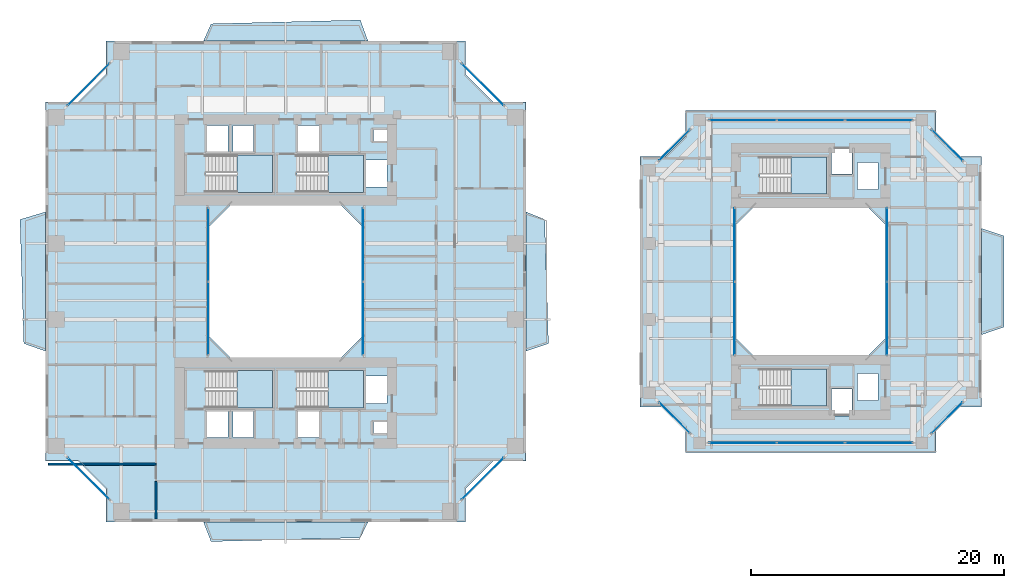
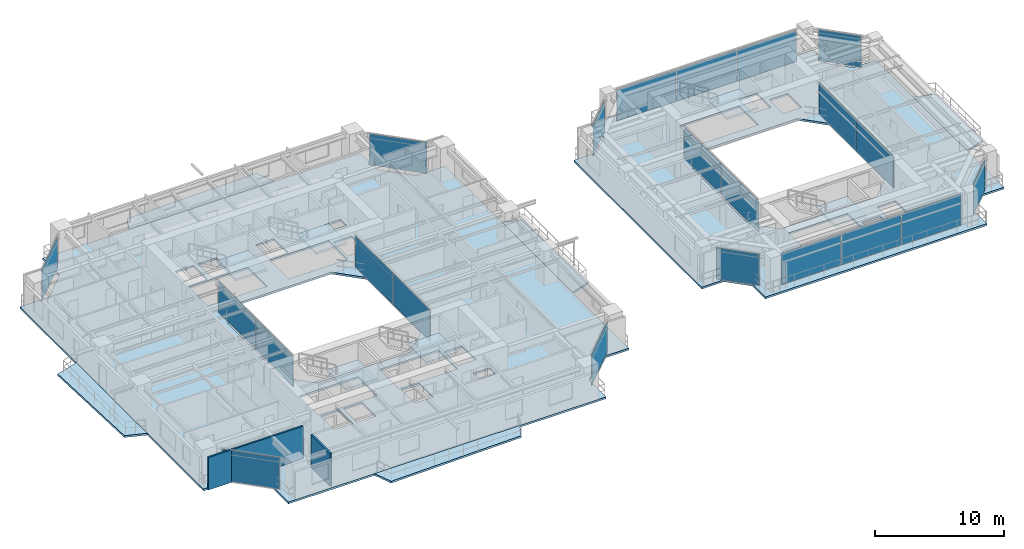
# One storey, part 12 of 23: 22 plates, 13 slabs, 2 walls, 20 elements without a shape of their own.
"""IFC4 building model written with IfcOpenShell, lengths in metres."""

from ifc_helpers import new_model, si_unit, direction, frame, frame_2d, origin, origin_2d, place, context, subcontext, project, spatial, polyline, rectangle, outline, extrude, source, transform, mapped, material, layer, layer_set, type_object, element, aggregate, save


model = new_model("IFC4")

# Units and contexts
model_context = context("Model", 3, precision=1e-05, world=origin(), true_north=direction((0.0, 1.0)))
body_context = subcontext(model_context, "Body", "Model", "MODEL_VIEW")
ifc_project = project(units=[si_unit("LENGTHUNIT", "METRE"), si_unit("AREAUNIT", "SQUARE_METRE"), si_unit("VOLUMEUNIT", "CUBIC_METRE"), si_unit("PLANEANGLEUNIT", "RADIAN"), si_unit("MASSUNIT", "GRAM", prefix="KILO"), si_unit("THERMODYNAMICTEMPERATUREUNIT", "KELVIN"), si_unit("POWERUNIT", "WATT")], contexts=[model_context])

# Site, building, storey
site_placement = place(None, origin())
site = spatial("IfcSite", under=ifc_project, at=site_placement, CompositionType="ELEMENT")
building_placement = place(site_placement, origin())
building = spatial("IfcBuilding", under=site, at=building_placement, Name="Qiaomeng Ring Towers", CompositionType="ELEMENT")
storey_placement = place(building_placement, frame((0.0, 0.0, 66.5)))
storey = spatial("IfcBuildingStorey", under=building, at=storey_placement, Name="L18", CompositionType="ELEMENT", Elevation=66.5)

# Slabs
ifc_material_1 = material(Name="Concrete C40", Category="concrete")
ifc_layer_1 = layer(ifc_material_1, 0.179931640625, Name="Concrete C40")
ifc_layer_set_1 = layer_set([ifc_layer_1], Name="Concrete C40")
slab_type_1 = type_object("IfcSlabType", Name="STR-SL-180", PredefinedType="FLOOR", material=ifc_layer_set_1)
slab_1_placement = place(storey_placement, frame((0.0, 0.0, -0.179931640625)))
element("IfcSlab", 1, at=slab_1_placement, inside=storey, type_object=slab_type_1, Name="L18 Tower 1 Annular Floor Slab", PredefinedType="FLOOR", context=body_context, shape_type="SweptSolid", body=[
    extrude(outline(polyline([(4.800048828125, 4.0), (33.199951171875, 4.0), (33.199951171875, 6.60009765625), (35.39990234375, 8.800048828125), (38.0, 8.800048828125), (38.0, 37.199951171875), (35.39990234375, 37.199951171875), (33.199951171875, 39.39990234375), (33.199951171875, 42.0), (4.800048828125, 42.0), (4.800048828125, 39.39990234375), (2.60009765625, 37.199951171875), (0.0, 37.199951171875), (0.0, 8.800048828125), (2.60009765625, 8.800048828125), (4.800048828125, 6.60009765625), (4.800048828125, 4.0)]), holes=[polyline([(12.780029296875, 10.679931640625), (12.780029296875, 12.820068359375), (14.419921875, 12.820068359375), (14.419921875, 10.679931640625), (12.780029296875, 10.679931640625)]), polyline([(14.830078125, 12.820068359375), (16.469970703125, 12.820068359375), (16.469970703125, 10.679931640625), (14.830078125, 10.679931640625), (14.830078125, 12.820068359375)]), polyline([(12.679931640625, 15.949951171875), (17.949951171875, 15.949951171875), (17.949951171875, 13.010009765625), (12.679931640625, 13.010009765625), (12.679931640625, 15.949951171875)]), polyline([(25.199951171875, 27.199951171875), (25.199951171875, 18.800048828125), (23.199951171875, 16.800048828125), (14.800048828125, 16.800048828125), (12.800048828125, 18.800048828125), (12.800048828125, 27.199951171875), (14.800048828125, 29.199951171875), (23.199951171875, 29.199951171875), (25.199951171875, 27.199951171875)]), polyline([(12.679931640625, 32.989990234375), (17.949951171875, 32.989990234375), (17.949951171875, 30.050048828125), (12.679931640625, 30.050048828125), (12.679931640625, 32.989990234375)]), polyline([(12.780029296875, 35.320068359375), (14.419921875, 35.320068359375), (14.419921875, 33.179931640625), (12.780029296875, 33.179931640625), (12.780029296875, 35.320068359375)]), polyline([(14.830078125, 35.320068359375), (16.469970703125, 35.320068359375), (16.469970703125, 33.179931640625), (14.830078125, 33.179931640625), (14.830078125, 35.320068359375)]), polyline([(19.97998046875, 35.320068359375), (21.6201171875, 35.320068359375), (21.6201171875, 33.179931640625), (19.97998046875, 33.179931640625), (19.97998046875, 35.320068359375)]), polyline([(25.919921875, 11.89990234375), (27.360107421875, 11.89990234375), (27.360107421875, 11.0), (25.919921875, 11.0), (25.919921875, 11.89990234375)]), polyline([(19.97998046875, 12.820068359375), (21.6201171875, 12.820068359375), (21.6201171875, 10.679931640625), (19.97998046875, 10.679931640625), (19.97998046875, 12.820068359375)]), polyline([(25.360107421875, 15.52001953125), (27.0, 15.52001953125), (27.0, 13.3798828125), (25.360107421875, 13.3798828125), (25.360107421875, 15.52001953125)]), polyline([(19.8798828125, 15.949951171875), (25.14990234375, 15.949951171875), (25.14990234375, 13.010009765625), (19.8798828125, 13.010009765625), (19.8798828125, 15.949951171875)]), polyline([(19.8798828125, 32.989990234375), (25.14990234375, 32.989990234375), (25.14990234375, 30.050048828125), (19.8798828125, 30.050048828125), (19.8798828125, 32.989990234375)]), polyline([(25.360107421875, 32.6201171875), (27.0, 32.6201171875), (27.0, 30.47998046875), (25.360107421875, 30.47998046875), (25.360107421875, 32.6201171875)]), polyline([(25.919921875, 35.0), (27.360107421875, 35.0), (27.360107421875, 34.10009765625), (25.919921875, 34.10009765625), (25.919921875, 35.0)])]), origin(), (0.0, 0.0, 1.0), 0.179931640625),
])
slab_2_placement = place(storey_placement, frame((0.0, 0.0, -0.179931640625)))
element("IfcSlab", 2, at=slab_2_placement, inside=storey, type_object=slab_type_1, Name="L18 Companion Tower 2 Annular Floor Slab", PredefinedType="FLOOR", context=body_context, shape_type="SweptSolid", body=[
    extrude(outline(polyline([(50.60009765625, 9.5), (70.39990234375, 9.5), (70.39990234375, 11.5), (72.0, 13.10009765625), (74.0, 13.10009765625), (74.0, 32.89990234375), (72.0, 32.89990234375), (70.39990234375, 34.5), (70.39990234375, 36.5), (50.60009765625, 36.5), (50.60009765625, 34.5), (49.0, 32.89990234375), (47.0, 32.89990234375), (47.0, 13.10009765625), (49.0, 13.10009765625), (50.60009765625, 11.5), (50.60009765625, 9.5)]), holes=[polyline([(62.1298828125, 12.3798828125), (62.1298828125, 14.52001953125), (63.77001953125, 14.52001953125), (63.77001953125, 12.3798828125), (62.1298828125, 12.3798828125)]), polyline([(56.47998046875, 13.159912109375), (56.47998046875, 16.10009765625), (61.75, 16.10009765625), (61.75, 13.159912109375), (56.47998046875, 13.159912109375)]), polyline([(64.179931640625, 13.580078125), (64.179931640625, 15.719970703125), (65.820068359375, 15.719970703125), (65.820068359375, 13.580078125), (64.179931640625, 13.580078125)]), polyline([(64.800048828125, 29.10009765625), (66.60009765625, 27.300048828125), (66.60009765625, 18.699951171875), (64.800048828125, 16.89990234375), (56.199951171875, 16.89990234375), (54.39990234375, 18.699951171875), (54.39990234375, 27.300048828125), (56.199951171875, 29.10009765625), (64.800048828125, 29.10009765625)]), polyline([(64.179931640625, 30.280029296875), (64.179931640625, 32.419921875), (65.820068359375, 32.419921875), (65.820068359375, 30.280029296875), (64.179931640625, 30.280029296875)]), polyline([(56.47998046875, 32.840087890625), (61.75, 32.840087890625), (61.75, 29.89990234375), (56.47998046875, 29.89990234375), (56.47998046875, 32.840087890625)]), polyline([(62.1298828125, 33.6201171875), (63.77001953125, 33.6201171875), (63.77001953125, 31.47998046875), (62.1298828125, 31.47998046875), (62.1298828125, 33.6201171875)])]), origin(), (0.0, 0.0, 1.0), 0.179931640625),
])
ifc_layer_2 = layer(ifc_material_1, 0.179931640625, Name="Concrete C40")
ifc_layer_set_2 = layer_set([ifc_layer_2], Name="Concrete C40")
slab_type_2 = type_object("IfcSlabType", Name="STR-SL-BAL", PredefinedType="FLOOR", material=ifc_layer_set_2)
slab_3_placement = place(storey_placement, frame((0.0, 0.0, -0.179931640625)))
element("IfcSlab", 3, at=slab_3_placement, inside=storey, type_object=slab_type_2, Name="L18 Tower 1 S Faceted Balcony Slab", PredefinedType="FLOOR", context=body_context, shape_type="SweptSolid", body=[
    extrude(outline(polyline([(24.89990234375, 2.75), (13.10009765625, 2.449951171875), (12.5, 4.0), (25.5, 4.0), (24.89990234375, 2.75)])), origin(), (0.0, 0.0, 1.0), 0.179931640625),
])
slab_4_placement = place(storey_placement, frame((0.0, 0.0, -0.179931640625)))
element("IfcSlab", 4, at=slab_4_placement, inside=storey, type_object=slab_type_2, Name="L18 Tower 1 E Faceted Balcony Slab", PredefinedType="FLOOR", context=body_context, shape_type="SweptSolid", body=[
    extrude(outline(polyline([(39.469970703125, 27.89990234375), (39.77001953125, 18.10009765625), (38.0, 17.5), (38.0, 28.5), (39.469970703125, 27.89990234375)])), origin(), (0.0, 0.0, 1.0), 0.179931640625),
])
slab_5_placement = place(storey_placement, frame((0.0, 0.0, -0.179931640625)))
element("IfcSlab", 5, at=slab_5_placement, inside=storey, type_object=slab_type_2, Name="L18 Tower 1 N Faceted Balcony Slab", PredefinedType="FLOOR", context=body_context, shape_type="SweptSolid", body=[
    extrude(outline(polyline([(12.5, 42.0), (13.10009765625, 43.3701171875), (24.89990234375, 43.669921875), (25.5, 42.0), (12.5, 42.0)])), origin(), (0.0, 0.0, 1.0), 0.179931640625),
])
slab_6_placement = place(storey_placement, frame((0.0, 0.0, -0.179931640625)))
element("IfcSlab", 6, at=slab_6_placement, inside=storey, type_object=slab_type_2, Name="L18 Tower 1 W Faceted Balcony Slab", PredefinedType="FLOOR", context=body_context, shape_type="SweptSolid", body=[
    extrude(outline(polyline([(0.0, 17.5), (-1.699951171875, 18.10009765625), (-2.0, 27.89990234375), (0.0, 28.5), (0.0, 17.5)])), origin(), (0.0, 0.0, 1.0), 0.179931640625),
])
slab_7_placement = place(storey_placement, frame((0.0, 0.0, -0.179931640625)))
element("IfcSlab", 7, at=slab_7_placement, inside=storey, type_object=slab_type_2, Name="L18 Companion East Faceted Balcony Slab", PredefinedType="FLOOR", context=body_context, shape_type="SweptSolid", body=[
    extrude(outline(polyline([(75.77001953125, 26.60009765625), (75.77001953125, 19.39990234375), (74.0, 18.800048828125), (74.0, 27.199951171875), (75.77001953125, 26.60009765625)])), origin(), (0.0, 0.0, 1.0), 0.179931640625),
])

# Stair, slab
ifc_material_2 = material(Name="Precast concrete C40", Category="concrete")
stair_type = type_object("IfcStairType", Name="ARC-ST-325", PredefinedType="HALF_TURN_STAIR", material=ifc_material_2)
stair_1_placement = place(storey_placement, origin())
stair_1 = element("IfcStair", 8, at=stair_1_placement, inside=storey, type_object=stair_type, Name="L18 Tower 1 North Stair 1", PredefinedType="HALF_TURN_STAIR")
ifc_layer_3 = layer(ifc_material_1, 0.199951171875, Name="Concrete C40")
ifc_layer_set_3 = layer_set([ifc_layer_3], Name="Concrete C40")
slab_type_3 = type_object("IfcSlabType", Name="STR-SL-LANDING", PredefinedType="LANDING", material=ifc_layer_set_3)
slab_8_placement = place(storey_placement, frame((0.0, 0.0, 1.425048828125)))
slab_8 = element("IfcSlab", 9, at=slab_8_placement, type_object=slab_type_3, Name="ST1 landing 1", PredefinedType="LANDING", context=body_context, shape_type="SweptSolid", body=[
    extrude(outline(polyline([(15.139892578125, 30.050048828125), (17.949951171875, 30.050048828125), (17.949951171875, 32.989990234375), (15.139892578125, 32.989990234375), (15.139892578125, 30.050048828125)])), origin(), (0.0, 0.0, 1.0), 0.199951171875),
])
aggregate(stair_1, [slab_8])

stair_2_placement = place(storey_placement, origin())
stair_2 = element("IfcStair", 10, at=stair_2_placement, inside=storey, type_object=stair_type, Name="L18 Tower 1 North Stair 2", PredefinedType="HALF_TURN_STAIR")
slab_9_placement = place(storey_placement, frame((0.0, 0.0, 1.425048828125)))
slab_9 = element("IfcSlab", 11, at=slab_9_placement, type_object=slab_type_3, Name="ST2 landing 1", PredefinedType="LANDING", context=body_context, shape_type="SweptSolid", body=[
    extrude(outline(polyline([(22.340087890625, 30.050048828125), (25.14990234375, 30.050048828125), (25.14990234375, 32.989990234375), (22.340087890625, 32.989990234375), (22.340087890625, 30.050048828125)])), origin(), (0.0, 0.0, 1.0), 0.199951171875),
])
aggregate(stair_2, [slab_9])

stair_3_placement = place(storey_placement, origin())
stair_3 = element("IfcStair", 12, at=stair_3_placement, inside=storey, type_object=stair_type, Name="L18 Tower 1 South Stair 3", PredefinedType="HALF_TURN_STAIR")
slab_10_placement = place(storey_placement, frame((0.0, 0.0, 1.425048828125)))
slab_10 = element("IfcSlab", 13, at=slab_10_placement, type_object=slab_type_3, Name="ST3 landing 1", PredefinedType="LANDING", context=body_context, shape_type="SweptSolid", body=[
    extrude(outline(polyline([(15.139892578125, 13.010009765625), (17.949951171875, 13.010009765625), (17.949951171875, 15.949951171875), (15.139892578125, 15.949951171875), (15.139892578125, 13.010009765625)])), origin(), (0.0, 0.0, 1.0), 0.199951171875),
])
aggregate(stair_3, [slab_10])

stair_4_placement = place(storey_placement, origin())
stair_4 = element("IfcStair", 14, at=stair_4_placement, inside=storey, type_object=stair_type, Name="L18 Tower 1 South Stair 4", PredefinedType="HALF_TURN_STAIR")
slab_11_placement = place(storey_placement, frame((0.0, 0.0, 1.425048828125)))
slab_11 = element("IfcSlab", 15, at=slab_11_placement, type_object=slab_type_3, Name="ST4 landing 1", PredefinedType="LANDING", context=body_context, shape_type="SweptSolid", body=[
    extrude(outline(polyline([(22.340087890625, 13.010009765625), (25.14990234375, 13.010009765625), (25.14990234375, 15.949951171875), (22.340087890625, 15.949951171875), (22.340087890625, 13.010009765625)])), origin(), (0.0, 0.0, 1.0), 0.199951171875),
])
aggregate(stair_4, [slab_11])

stair_5_placement = place(storey_placement, origin())
stair_5 = element("IfcStair", 16, at=stair_5_placement, inside=storey, type_object=stair_type, Name="L18 Companion North Stair 5", PredefinedType="HALF_TURN_STAIR")
slab_12_placement = place(storey_placement, frame((0.0, 0.0, 1.425048828125)))
slab_12 = element("IfcSlab", 17, at=slab_12_placement, type_object=slab_type_3, Name="ST5 landing 1", PredefinedType="LANDING", context=body_context, shape_type="SweptSolid", body=[
    extrude(outline(polyline([(58.93994140625, 29.89990234375), (61.75, 29.89990234375), (61.75, 32.840087890625), (58.93994140625, 32.840087890625), (58.93994140625, 29.89990234375)])), origin(), (0.0, 0.0, 1.0), 0.199951171875),
])
aggregate(stair_5, [slab_12])

stair_6_placement = place(storey_placement, origin())
stair_6 = element("IfcStair", 18, at=stair_6_placement, inside=storey, type_object=stair_type, Name="L18 Companion South Stair 6", PredefinedType="HALF_TURN_STAIR")
slab_13_placement = place(storey_placement, frame((0.0, 0.0, 1.425048828125)))
slab_13 = element("IfcSlab", 19, at=slab_13_placement, type_object=slab_type_3, Name="ST6 landing 1", PredefinedType="LANDING", context=body_context, shape_type="SweptSolid", body=[
    extrude(outline(polyline([(58.93994140625, 13.159912109375), (61.75, 13.159912109375), (61.75, 16.10009765625), (58.93994140625, 16.10009765625), (58.93994140625, 13.159912109375)])), origin(), (0.0, 0.0, 1.0), 0.199951171875),
])
aggregate(stair_6, [slab_13])

# Curtain wall, plates
ifc_material_3 = material(Name="Fluorocarbon dark-grey aluminium", Category="aluminium")
ifc_layer_4 = layer(ifc_material_3, 0.139892578125, Name="Fluorocarbon dark-grey aluminium")
ifc_layer_set_4 = layer_set([ifc_layer_4], Name="Fluorocarbon dark-grey aluminium")
curtain_wall_type_1 = type_object("IfcCurtainWallType", Name="ARC-CW-4", PredefinedType="NOTDEFINED", material=ifc_layer_set_4)
curtain_wall_1_placement = place(storey_placement, origin())
curtain_wall_1 = element("IfcCurtainWall", 20, at=curtain_wall_1_placement, inside=storey, type_object=curtain_wall_type_1, Name="L18 Curtain Wall CW4", PredefinedType="NOTDEFINED")
ifc_material_4 = material(Name="Low-E dark-grey laminated double glazing", Category="glass")
ifc_layer_5 = layer(ifc_material_4, 0.028076171875, Name="Low-E dark-grey laminated double glazing")
ifc_layer_set_5 = layer_set([ifc_layer_5], Name="Low-E dark-grey laminated double glazing")
plate_type = type_object("IfcPlateType", Name="ARC-CWP-DARK", PredefinedType="CURTAIN_PANEL", material=ifc_layer_set_5)
shared_shape_1 = source(origin(), body_context, "Body", "SweptSolid", [
    extrude(rectangle(XDim=5.75244140625, YDim=0.028076171875, at=origin_2d()), origin(), (0.0, 0.0, 1.0), 2.93994140625),
])
plate_1_placement = place(storey_placement, frame((12.8798828125, 20.09130859375, 0.06494140625), z_axis=(0.0, 0.0, 1.0), x_axis=(0.0, 1.0, 0.0)))
plate_1 = element("IfcPlate", 21, at=plate_1_placement, type_object=plate_type, Name="CW4 panel 1.1", PredefinedType="CURTAIN_PANEL", context=body_context, shape_type="MappedRepresentation", body=[
    mapped(shared_shape_1, transform((0.0, 0.0, 0.0), x_axis=(1.0, 0.0, 0.0), y_axis=(0.0, 1.0, 0.0), z_axis=(0.0, 0.0, 1.0), scale=1.0)),
])
plate_2_placement = place(storey_placement, frame((12.8798828125, 25.90869140625, 0.06494140625), z_axis=(0.0, 0.0, 1.0), x_axis=(0.0, 1.0, 0.0)))
plate_2 = element("IfcPlate", 22, at=plate_2_placement, type_object=plate_type, Name="CW4 panel 2.1", PredefinedType="CURTAIN_PANEL", context=body_context, shape_type="MappedRepresentation", body=[
    mapped(shared_shape_1, transform((0.0, 0.0, 0.0), x_axis=(1.0, 0.0, 0.0), y_axis=(0.0, 1.0, 0.0), z_axis=(0.0, 0.0, 1.0), scale=1.0)),
])
aggregate(curtain_wall_1, [plate_1, plate_2])

curtain_wall_2_placement = place(storey_placement, origin())
curtain_wall_2 = element("IfcCurtainWall", 23, at=curtain_wall_2_placement, inside=storey, type_object=curtain_wall_type_1, Name="L18 Curtain Wall CW4", PredefinedType="NOTDEFINED")
plate_3_placement = place(storey_placement, frame((25.1201171875, 20.09130859375, 0.06494140625), z_axis=(0.0, 0.0, 1.0), x_axis=(0.0, 1.0, 0.0)))
plate_3 = element("IfcPlate", 24, at=plate_3_placement, type_object=plate_type, Name="CW4 panel 1.1", PredefinedType="CURTAIN_PANEL", context=body_context, shape_type="MappedRepresentation", body=[
    mapped(shared_shape_1, transform((0.0, 0.0, 0.0), x_axis=(1.0, 0.0, 0.0), y_axis=(0.0, 1.0, 0.0), z_axis=(0.0, 0.0, 1.0), scale=1.0)),
])
plate_4_placement = place(storey_placement, frame((25.1201171875, 25.90869140625, 0.06494140625), z_axis=(0.0, 0.0, 1.0), x_axis=(0.0, 1.0, 0.0)))
plate_4 = element("IfcPlate", 25, at=plate_4_placement, type_object=plate_type, Name="CW4 panel 2.1", PredefinedType="CURTAIN_PANEL", context=body_context, shape_type="MappedRepresentation", body=[
    mapped(shared_shape_1, transform((0.0, 0.0, 0.0), x_axis=(1.0, 0.0, 0.0), y_axis=(0.0, 1.0, 0.0), z_axis=(0.0, 0.0, 1.0), scale=1.0)),
])
aggregate(curtain_wall_2, [plate_3, plate_4])

curtain_wall_3_placement = place(storey_placement, origin())
curtain_wall_3 = element("IfcCurtainWall", 26, at=curtain_wall_3_placement, inside=storey, type_object=curtain_wall_type_1, Name="L18 Curtain Wall CW4", PredefinedType="NOTDEFINED")
plate_5_placement = place(storey_placement, frame((54.47998046875, 20.09130859375, 0.06494140625), z_axis=(0.0, 0.0, 1.0), x_axis=(0.0, 1.0, 0.0)))
plate_5 = element("IfcPlate", 27, at=plate_5_placement, type_object=plate_type, Name="CW4 panel 1.1", PredefinedType="CURTAIN_PANEL", context=body_context, shape_type="MappedRepresentation", body=[
    mapped(shared_shape_1, transform((0.0, 0.0, 0.0), x_axis=(1.0, 0.0, 0.0), y_axis=(0.0, 1.0, 0.0), z_axis=(0.0, 0.0, 1.0), scale=1.0)),
])
plate_6_placement = place(storey_placement, frame((54.47998046875, 25.90869140625, 0.06494140625), z_axis=(0.0, 0.0, 1.0), x_axis=(0.0, 1.0, 0.0)))
plate_6 = element("IfcPlate", 28, at=plate_6_placement, type_object=plate_type, Name="CW4 panel 2.1", PredefinedType="CURTAIN_PANEL", context=body_context, shape_type="MappedRepresentation", body=[
    mapped(shared_shape_1, transform((0.0, 0.0, 0.0), x_axis=(1.0, 0.0, 0.0), y_axis=(0.0, 1.0, 0.0), z_axis=(0.0, 0.0, 1.0), scale=1.0)),
])
aggregate(curtain_wall_3, [plate_5, plate_6])

curtain_wall_4_placement = place(storey_placement, origin())
curtain_wall_4 = element("IfcCurtainWall", 29, at=curtain_wall_4_placement, inside=storey, type_object=curtain_wall_type_1, Name="L18 Curtain Wall CW4", PredefinedType="NOTDEFINED")
plate_7_placement = place(storey_placement, frame((66.52001953125, 20.09130859375, 0.06494140625), z_axis=(0.0, 0.0, 1.0), x_axis=(0.0, 1.0, 0.0)))
plate_7 = element("IfcPlate", 30, at=plate_7_placement, type_object=plate_type, Name="CW4 panel 1.1", PredefinedType="CURTAIN_PANEL", context=body_context, shape_type="MappedRepresentation", body=[
    mapped(shared_shape_1, transform((0.0, 0.0, 0.0), x_axis=(1.0, 0.0, 0.0), y_axis=(0.0, 1.0, 0.0), z_axis=(0.0, 0.0, 1.0), scale=1.0)),
])
plate_8_placement = place(storey_placement, frame((66.52001953125, 25.90869140625, 0.06494140625), z_axis=(0.0, 0.0, 1.0), x_axis=(0.0, 1.0, 0.0)))
plate_8 = element("IfcPlate", 31, at=plate_8_placement, type_object=plate_type, Name="CW4 panel 2.1", PredefinedType="CURTAIN_PANEL", context=body_context, shape_type="MappedRepresentation", body=[
    mapped(shared_shape_1, transform((0.0, 0.0, 0.0), x_axis=(1.0, 0.0, 0.0), y_axis=(0.0, 1.0, 0.0), z_axis=(0.0, 0.0, 1.0), scale=1.0)),
])
aggregate(curtain_wall_4, [plate_7, plate_8])

# Curtain wall, plate
ifc_layer_6 = layer(ifc_material_3, 0.159912109375, Name="Fluorocarbon dark-grey aluminium")
ifc_layer_set_6 = layer_set([ifc_layer_6], Name="Fluorocarbon dark-grey aluminium")
curtain_wall_type_2 = type_object("IfcCurtainWallType", Name="ARC-CW-2", PredefinedType="NOTDEFINED", material=ifc_layer_set_6)
curtain_wall_5_placement = place(storey_placement, origin())
curtain_wall_5 = element("IfcCurtainWall", 32, at=curtain_wall_5_placement, inside=storey, type_object=curtain_wall_type_2, Name="L18 Curtain Wall CW2", PredefinedType="NOTDEFINED")
shared_shape_2 = source(origin(), body_context, "Body", "SweptSolid", [
    extrude(rectangle(XDim=4.6259765625, YDim=0.028076171875, at=origin_2d()), origin(), (0.0, 0.0, 1.0), 2.93994140625),
])
plate_9_placement = place(storey_placement, frame((34.574951171875, 7.425048828125, 0.06494140625), z_axis=(0.0, 0.0, 1.0), x_axis=(0.707106781187, 0.707106781187, 0.0)))
plate_9 = element("IfcPlate", 33, at=plate_9_placement, type_object=plate_type, Name="CW2 panel 1.1", PredefinedType="CURTAIN_PANEL", context=body_context, shape_type="MappedRepresentation", body=[
    mapped(shared_shape_2, transform((0.0, 0.0, 0.0), x_axis=(1.0, 0.0, 0.0), y_axis=(0.0, 1.0, 0.0), z_axis=(0.0, 0.0, 1.0), scale=1.0)),
])
aggregate(curtain_wall_5, [plate_9])

curtain_wall_6_placement = place(storey_placement, origin())
curtain_wall_6 = element("IfcCurtainWall", 34, at=curtain_wall_6_placement, inside=storey, type_object=curtain_wall_type_2, Name="L18 Curtain Wall CW2", PredefinedType="NOTDEFINED")
plate_10_placement = place(storey_placement, frame((34.574951171875, 38.574951171875, 0.06494140625), z_axis=(0.0, 0.0, 1.0), x_axis=(-0.707106781187, 0.707106781187, 0.0)))
plate_10 = element("IfcPlate", 35, at=plate_10_placement, type_object=plate_type, Name="CW2 panel 1.1", PredefinedType="CURTAIN_PANEL", context=body_context, shape_type="MappedRepresentation", body=[
    mapped(shared_shape_2, transform((0.0, 0.0, 0.0), x_axis=(1.0, 0.0, 0.0), y_axis=(0.0, 1.0, 0.0), z_axis=(0.0, 0.0, 1.0), scale=1.0)),
])
aggregate(curtain_wall_6, [plate_10])

curtain_wall_7_placement = place(storey_placement, origin())
curtain_wall_7 = element("IfcCurtainWall", 36, at=curtain_wall_7_placement, inside=storey, type_object=curtain_wall_type_2, Name="L18 Curtain Wall CW2", PredefinedType="NOTDEFINED")
plate_11_placement = place(storey_placement, frame((3.425048828125, 38.574951171875, 0.06494140625), z_axis=(0.0, 0.0, 1.0), x_axis=(-0.707106781187, -0.707106781187, 0.0)))
plate_11 = element("IfcPlate", 37, at=plate_11_placement, type_object=plate_type, Name="CW2 panel 1.1", PredefinedType="CURTAIN_PANEL", context=body_context, shape_type="MappedRepresentation", body=[
    mapped(shared_shape_2, transform((0.0, 0.0, 0.0), x_axis=(1.0, 0.0, 0.0), y_axis=(0.0, 1.0, 0.0), z_axis=(0.0, 0.0, 1.0), scale=1.0)),
])
aggregate(curtain_wall_7, [plate_11])

curtain_wall_8_placement = place(storey_placement, origin())
curtain_wall_8 = element("IfcCurtainWall", 38, at=curtain_wall_8_placement, inside=storey, type_object=curtain_wall_type_2, Name="L18 Curtain Wall CW2", PredefinedType="NOTDEFINED")
plate_12_placement = place(storey_placement, frame((3.425048828125, 7.425048828125, 0.06494140625), z_axis=(0.0, 0.0, 1.0), x_axis=(0.707106781187, -0.707106781187, 0.0)))
plate_12 = element("IfcPlate", 39, at=plate_12_placement, type_object=plate_type, Name="CW2 panel 1.1", PredefinedType="CURTAIN_PANEL", context=body_context, shape_type="MappedRepresentation", body=[
    mapped(shared_shape_2, transform((0.0, 0.0, 0.0), x_axis=(1.0, 0.0, 0.0), y_axis=(0.0, 1.0, 0.0), z_axis=(0.0, 0.0, 1.0), scale=1.0)),
])
aggregate(curtain_wall_8, [plate_12])

# Curtain wall, plates
ifc_layer_7 = layer(ifc_material_3, 0.14990234375, Name="Fluorocarbon dark-grey aluminium")
ifc_layer_set_7 = layer_set([ifc_layer_7], Name="Fluorocarbon dark-grey aluminium")
curtain_wall_type_3 = type_object("IfcCurtainWallType", Name="ARC-CW-5", PredefinedType="NOTDEFINED", material=ifc_layer_set_7)
curtain_wall_9_placement = place(storey_placement, origin())
curtain_wall_9 = element("IfcCurtainWall", 40, at=curtain_wall_9_placement, inside=storey, type_object=curtain_wall_type_3, Name="L18 Curtain Wall CW5", PredefinedType="NOTDEFINED")
shared_shape_3 = source(origin(), body_context, "Body", "SweptSolid", [
    extrude(rectangle(XDim=5.284912109375, YDim=0.028076171875, at=origin_2d()), origin(), (0.0, 0.0, 1.0), 2.93994140625),
])
plate_13_placement = place(storey_placement, frame((55.12744140625, 35.75, 0.06494140625), z_axis=(0.0, 0.0, 1.0), x_axis=(1.0, 0.0, 0.0)))
plate_13 = element("IfcPlate", 41, at=plate_13_placement, type_object=plate_type, Name="CW5 panel 1.1", PredefinedType="CURTAIN_PANEL", context=body_context, shape_type="MappedRepresentation", body=[
    mapped(shared_shape_3, transform((0.0, 0.0, 0.0), x_axis=(1.0, 0.0, 0.0), y_axis=(0.0, 1.0, 0.0), z_axis=(0.0, 0.0, 1.0), scale=1.0)),
])
plate_14_placement = place(storey_placement, frame((65.87255859375, 35.75, 0.06494140625), z_axis=(0.0, 0.0, 1.0), x_axis=(1.0, 0.0, 0.0)))
plate_14 = element("IfcPlate", 42, at=plate_14_placement, type_object=plate_type, Name="CW5 panel 3.1", PredefinedType="CURTAIN_PANEL", context=body_context, shape_type="MappedRepresentation", body=[
    mapped(shared_shape_3, transform((0.0, 0.0, 0.0), x_axis=(1.0, 0.0, 0.0), y_axis=(0.0, 1.0, 0.0), z_axis=(0.0, 0.0, 1.0), scale=1.0)),
])

curtain_wall_10_placement = place(storey_placement, origin())
curtain_wall_10 = element("IfcCurtainWall", 43, at=curtain_wall_10_placement, inside=storey, type_object=curtain_wall_type_3, Name="L18 Curtain Wall CW5", PredefinedType="NOTDEFINED")
plate_15_placement = place(storey_placement, frame((55.12744140625, 10.25, 0.06494140625), z_axis=(0.0, 0.0, 1.0), x_axis=(1.0, 0.0, 0.0)))
plate_15 = element("IfcPlate", 44, at=plate_15_placement, type_object=plate_type, Name="CW5 panel 1.1", PredefinedType="CURTAIN_PANEL", context=body_context, shape_type="MappedRepresentation", body=[
    mapped(shared_shape_3, transform((0.0, 0.0, 0.0), x_axis=(1.0, 0.0, 0.0), y_axis=(0.0, 1.0, 0.0), z_axis=(0.0, 0.0, 1.0), scale=1.0)),
])
plate_16_placement = place(storey_placement, frame((65.87255859375, 10.25, 0.06494140625), z_axis=(0.0, 0.0, 1.0), x_axis=(1.0, 0.0, 0.0)))
plate_16 = element("IfcPlate", 45, at=plate_16_placement, type_object=plate_type, Name="CW5 panel 3.1", PredefinedType="CURTAIN_PANEL", context=body_context, shape_type="MappedRepresentation", body=[
    mapped(shared_shape_3, transform((0.0, 0.0, 0.0), x_axis=(1.0, 0.0, 0.0), y_axis=(0.0, 1.0, 0.0), z_axis=(0.0, 0.0, 1.0), scale=1.0)),
])

# Plate
shared_shape_4 = source(origin(), body_context, "Body", "SweptSolid", [
    extrude(rectangle(XDim=5.320068359375, YDim=0.028076171875, at=origin_2d()), origin(), (0.0, 0.0, 1.0), 2.93994140625),
])
plate_17_placement = place(storey_placement, frame((60.5, 35.75, 0.06494140625), z_axis=(0.0, 0.0, 1.0), x_axis=(1.0, 0.0, 0.0)))
plate_17 = element("IfcPlate", 46, at=plate_17_placement, type_object=plate_type, Name="CW5 panel 2.1", PredefinedType="CURTAIN_PANEL", context=body_context, shape_type="MappedRepresentation", body=[
    mapped(shared_shape_4, transform((0.0, 0.0, 0.0), x_axis=(1.0, 0.0, 0.0), y_axis=(0.0, 1.0, 0.0), z_axis=(0.0, 0.0, 1.0), scale=1.0)),
])

aggregate(curtain_wall_9, [plate_13, plate_17, plate_14])

plate_18_placement = place(storey_placement, frame((60.5, 10.25, 0.06494140625), z_axis=(0.0, 0.0, 1.0), x_axis=(1.0, 0.0, 0.0)))
plate_18 = element("IfcPlate", 47, at=plate_18_placement, type_object=plate_type, Name="CW5 panel 2.1", PredefinedType="CURTAIN_PANEL", context=body_context, shape_type="MappedRepresentation", body=[
    mapped(shared_shape_4, transform((0.0, 0.0, 0.0), x_axis=(1.0, 0.0, 0.0), y_axis=(0.0, 1.0, 0.0), z_axis=(0.0, 0.0, 1.0), scale=1.0)),
])

aggregate(curtain_wall_10, [plate_15, plate_18, plate_16])

# Curtain wall, plate
curtain_wall_11_placement = place(storey_placement, origin())
curtain_wall_11 = element("IfcCurtainWall", 48, at=curtain_wall_11_placement, inside=storey, type_object=curtain_wall_type_3, Name="L18 Curtain Wall CW5", PredefinedType="NOTDEFINED")
shared_shape_5 = source(origin(), body_context, "Body", "SweptSolid", [
    extrude(rectangle(XDim=3.423828125, YDim=0.028076171875, at=origin_2d()), origin(), (0.0, 0.0, 1.0), 2.93994140625),
])
plate_19_placement = place(storey_placement, frame((71.27490234375, 12.22509765625, 0.06494140625), z_axis=(0.0, 0.0, 1.0), x_axis=(0.707106781187, 0.707106781187, 0.0)))
plate_19 = element("IfcPlate", 49, at=plate_19_placement, type_object=plate_type, Name="CW5 panel 1.1", PredefinedType="CURTAIN_PANEL", context=body_context, shape_type="MappedRepresentation", body=[
    mapped(shared_shape_5, transform((0.0, 0.0, 0.0), x_axis=(1.0, 0.0, 0.0), y_axis=(0.0, 1.0, 0.0), z_axis=(0.0, 0.0, 1.0), scale=1.0)),
])
aggregate(curtain_wall_11, [plate_19])

curtain_wall_12_placement = place(storey_placement, origin())
curtain_wall_12 = element("IfcCurtainWall", 50, at=curtain_wall_12_placement, inside=storey, type_object=curtain_wall_type_3, Name="L18 Curtain Wall CW5", PredefinedType="NOTDEFINED")
plate_20_placement = place(storey_placement, frame((71.27490234375, 33.77490234375, 0.06494140625), z_axis=(0.0, 0.0, 1.0), x_axis=(-0.707106781187, 0.707106781187, 0.0)))
plate_20 = element("IfcPlate", 51, at=plate_20_placement, type_object=plate_type, Name="CW5 panel 1.1", PredefinedType="CURTAIN_PANEL", context=body_context, shape_type="MappedRepresentation", body=[
    mapped(shared_shape_5, transform((0.0, 0.0, 0.0), x_axis=(1.0, 0.0, 0.0), y_axis=(0.0, 1.0, 0.0), z_axis=(0.0, 0.0, 1.0), scale=1.0)),
])
aggregate(curtain_wall_12, [plate_20])

curtain_wall_13_placement = place(storey_placement, origin())
curtain_wall_13 = element("IfcCurtainWall", 52, at=curtain_wall_13_placement, inside=storey, type_object=curtain_wall_type_3, Name="L18 Curtain Wall CW5", PredefinedType="NOTDEFINED")
plate_21_placement = place(storey_placement, frame((49.72509765625, 33.77490234375, 0.06494140625), z_axis=(0.0, 0.0, 1.0), x_axis=(-0.707106781187, -0.707106781187, 0.0)))
plate_21 = element("IfcPlate", 53, at=plate_21_placement, type_object=plate_type, Name="CW5 panel 1.1", PredefinedType="CURTAIN_PANEL", context=body_context, shape_type="MappedRepresentation", body=[
    mapped(shared_shape_5, transform((0.0, 0.0, 0.0), x_axis=(1.0, 0.0, 0.0), y_axis=(0.0, 1.0, 0.0), z_axis=(0.0, 0.0, 1.0), scale=1.0)),
])
aggregate(curtain_wall_13, [plate_21])

curtain_wall_14_placement = place(storey_placement, origin())
curtain_wall_14 = element("IfcCurtainWall", 54, at=curtain_wall_14_placement, inside=storey, type_object=curtain_wall_type_3, Name="L18 Curtain Wall CW5", PredefinedType="NOTDEFINED")
plate_22_placement = place(storey_placement, frame((49.72509765625, 12.22509765625, 0.06494140625), z_axis=(0.0, 0.0, 1.0), x_axis=(0.707106781187, -0.707106781187, 0.0)))
plate_22 = element("IfcPlate", 55, at=plate_22_placement, type_object=plate_type, Name="CW5 panel 1.1", PredefinedType="CURTAIN_PANEL", context=body_context, shape_type="MappedRepresentation", body=[
    mapped(shared_shape_5, transform((0.0, 0.0, 0.0), x_axis=(1.0, 0.0, 0.0), y_axis=(0.0, 1.0, 0.0), z_axis=(0.0, 0.0, 1.0), scale=1.0)),
])
aggregate(curtain_wall_14, [plate_22])

# Walls
ifc_material_5 = material(Name="Gypsum fireboard steel-stud partition", Category="steel")
ifc_layer_8 = layer(ifc_material_5, 0.14990234375, Name="Gypsum fireboard steel-stud partition")
ifc_layer_set_8 = layer_set([ifc_layer_8], Name="Gypsum fireboard steel-stud partition")
wall_type = type_object("IfcWallType", Name="ARC-WL-PW3", PredefinedType="PARTITIONING", material=ifc_layer_set_8)
wall_1_placement = place(storey_placement, frame((8.75, 4.25, 0.0), z_axis=(0.0, 0.0, 1.0), x_axis=(0.0, 1.0, 0.0)))
element("IfcWall", 56, at=wall_1_placement, inside=storey, type_object=wall_type, Name="L18 Interior Wall PW3", PredefinedType="PARTITIONING", context=body_context, shape_type="SweptSolid", body=[
    extrude(rectangle(XDim=2.9599609375, YDim=0.14990234375, at=frame_2d((1.47998046875, 0.0))), origin(), (0.0, 0.0, 1.0), 3.070068359375),
])
wall_2_placement = place(storey_placement, frame((0.25, 8.570068359375, 0.0), z_axis=(0.0, 0.0, 1.0), x_axis=(1.0, 0.0, 0.0)))
element("IfcWall", 57, at=wall_2_placement, inside=storey, type_object=wall_type, Name="L18 Interior Wall PW3", PredefinedType="PARTITIONING", context=body_context, shape_type="SweptSolid", body=[
    extrude(rectangle(XDim=8.5, YDim=0.14990234375, at=frame_2d((4.25, 0.0))), origin(), (0.0, 0.0, 1.0), 3.070068359375),
])

save(model, "model.ifc")
